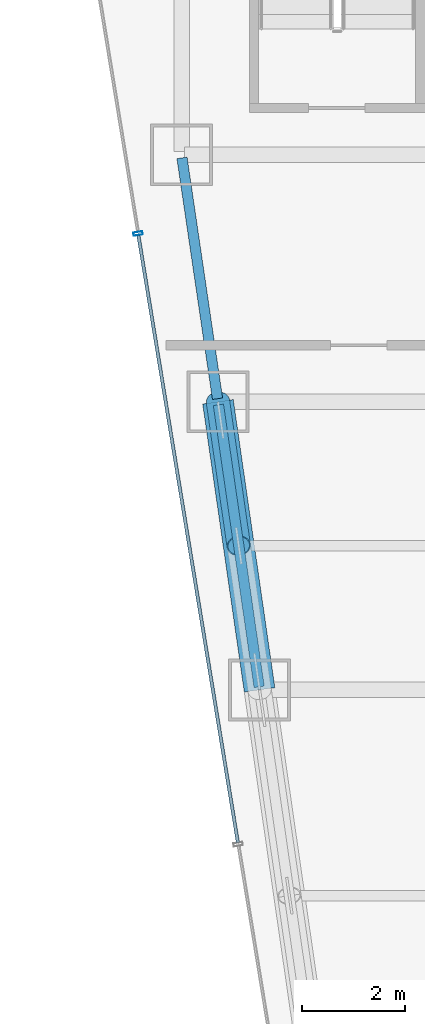
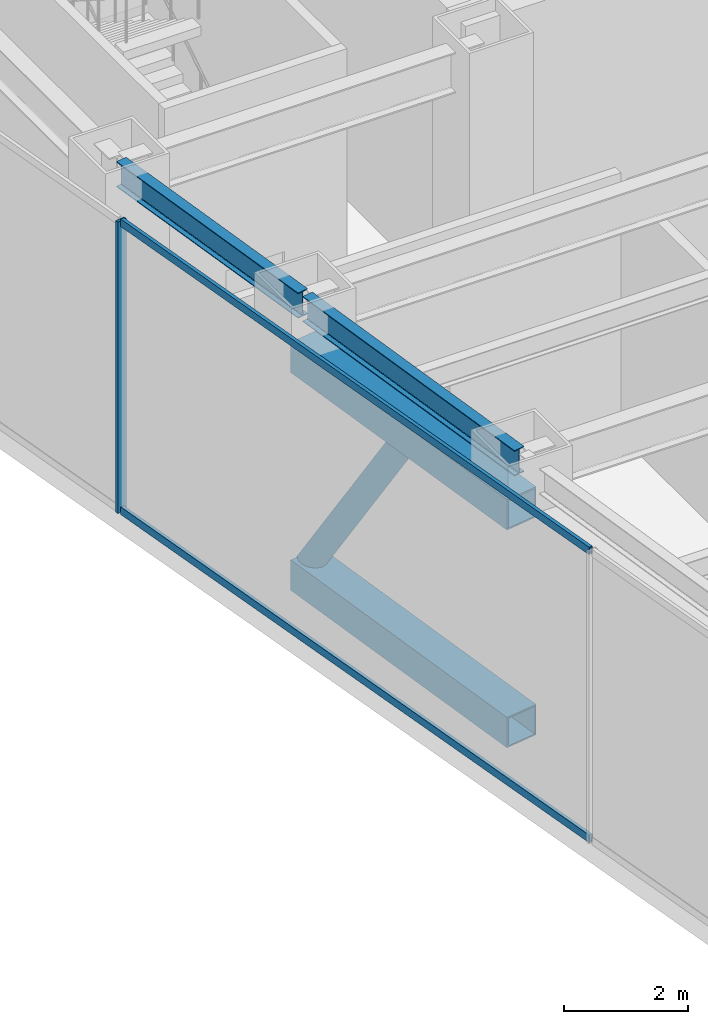
# One storey, part 18 of 35: 6 members, 2 beams, 1 element without a shape of its own.
"""IFC4 building model written with IfcOpenShell, lengths in metres."""

from ifc_helpers import new_model, si_unit, direction, frame, origin, origin_2d, place, context, subcontext, project, spatial, hollow_rectangle, hollow_circle, i_section, extrude, material, material_profile, profile_set, type_object, element, aggregate, save


model = new_model("IFC4")

# Units and contexts
model_context = context("Model", 3, precision=1e-05, world=origin(), true_north=direction((0.0, 1.0)))
body_context = subcontext(model_context, "Body", "Model", "MODEL_VIEW")
ifc_project = project(units=[si_unit("LENGTHUNIT", "METRE"), si_unit("AREAUNIT", "SQUARE_METRE"), si_unit("VOLUMEUNIT", "CUBIC_METRE"), si_unit("PLANEANGLEUNIT", "RADIAN"), si_unit("MASSUNIT", "GRAM", prefix="KILO")], contexts=[model_context])

# Site, building, storey
site_placement = place(None, origin())
site = spatial("IfcSite", under=ifc_project, at=site_placement, CompositionType="ELEMENT")
building_placement = place(site_placement, origin())
building = spatial("IfcBuilding", under=site, at=building_placement, Name="Saevonmaru Cultural Tower", CompositionType="ELEMENT")
storey_placement = place(building_placement, frame((0.0, 0.0, 86.800048828125)))
storey = spatial("IfcBuildingStorey", under=building, at=storey_placement, Name="L18", CompositionType="ELEMENT", Elevation=86.800048828125)

# Beams
ifc_material_1 = material(Name="Steel SM355", Category="steel")
ifc_material_profile_1 = material_profile(ifc_material_1, i_section(OverallWidth=0.199951171875, OverallDepth=0.5, WebThickness=0.010009765625, FlangeThickness=0.01611328125, FilletRadius=0.02001953125, at=origin_2d()), Name="H-500x200x10x16")
ifc_profile_set_1 = profile_set([ifc_material_profile_1], Name="Steel SM355")
beam_type = type_object("IfcBeamType", Name="BM-SP-H500", PredefinedType="SPANDREL", material=ifc_profile_set_1)
beam_1_placement = place(storey_placement, frame((8.308349609375, 32.059326171875, 5.5), z_axis=(-0.142964121327, 0.989727871697, 0.0), x_axis=(-0.989727871697, -0.142964121327, 0.0)))
element("IfcBeam", 1, at=beam_1_placement, inside=storey, type_object=beam_type, Name="L18 West Splayed Spandrel 5", PredefinedType="SPANDREL", context=body_context, shape_type="SweptSolid", body=[
    extrude(i_section(OverallWidth=0.199951171875, OverallDepth=0.5, WebThickness=0.010009765625, FlangeThickness=0.01611328125, FilletRadius=0.02001953125, at=origin_2d()), origin(), (0.0, 0.0, 1.0), 5.5380859375),
])
beam_2_placement = place(storey_placement, frame((7.499267578125, 37.659423828125, 5.5), z_axis=(-0.145912860028, 0.989297446312, 0.0), x_axis=(-0.989297446312, -0.145912860028, 0.0)))
element("IfcBeam", 2, at=beam_2_placement, inside=storey, type_object=beam_type, Name="L18 West Splayed Spandrel 6", PredefinedType="SPANDREL", context=body_context, shape_type="SweptSolid", body=[
    extrude(i_section(OverallWidth=0.199951171875, OverallDepth=0.5, WebThickness=0.010009765625, FlangeThickness=0.01611328125, FilletRadius=0.02001953125, at=origin_2d()), origin(), (0.0, 0.0, 1.0), 4.731689453125),
])

# Members
ifc_material_2 = material(Name="Steel SM420", Category="steel")
ifc_material_profile_2 = material_profile(ifc_material_2, hollow_circle(Radius=0.228515625, WallThickness=0.02001953125, at=origin_2d()), Name="CHS-457.2x20")
ifc_profile_set_2 = profile_set([ifc_material_profile_2], Name="Steel SM420")
member_type_1 = type_object("IfcMemberType", Name="MB-BBR-CHS457", PredefinedType="BRACE", material=ifc_profile_set_2)
member_1_placement = place(storey_placement, frame((7.508056640625, 37.60009765625, 0.300048828125), z_axis=(0.078502210644, -0.544013204761, 0.835396334664), x_axis=(0.989748290967, 0.142822689123, 0.0)))
element("IfcMember", 3, at=member_1_placement, inside=storey, type_object=member_type_1, Name="L18 Belt Truss Diagonal BW5-2", PredefinedType="BRACE", context=body_context, shape_type="SweptSolid", body=[
    extrude(hollow_circle(Radius=0.228515625, WallThickness=0.02001953125, at=origin_2d()), origin(), (0.0, 0.0, 1.0), 5.14697265625),
])
ifc_material_profile_3 = material_profile(ifc_material_2, hollow_rectangle(XDim=0.60009765625, YDim=0.60009765625, WallThickness=0.028076171875, at=origin_2d()), Name="BOX-600x600x28")
ifc_profile_set_3 = profile_set([ifc_material_profile_3], Name="Steel SM420")
member_type_2 = type_object("IfcMemberType", Name="MB-BCH-BOX600", PredefinedType="CHORD", material=ifc_profile_set_3)
for number, where, z_axis, x_axis, name in (
    (4, (8.31689453125, 32.0, 0.300048828125), (-0.142949491659, 0.989729984811, 0.0), (-0.989729984811, -0.142949491659, 0.0), "L18 Belt Truss Bottom Chord BW5"),
    (5, (8.31689453125, 32.0, 4.599853515625), (-0.142949491659, 0.989729984811, 0.0), (-0.989729984811, -0.142949491659, 0.0), "L18 Belt Truss Top Chord BW5"),
):
    element("IfcMember", number, at=place(storey_placement, frame(where, z_axis=z_axis, x_axis=x_axis)), inside=storey, type_object=member_type_2, Name=name, PredefinedType="CHORD", context=body_context, shape_type="SweptSolid", body=[
        extrude(hollow_rectangle(XDim=0.60009765625, YDim=0.60009765625, WallThickness=0.028076171875, at=origin_2d()), origin(), (0.0, 0.0, 1.0), 5.658203125),
    ])

# Curtain wall, members
ifc_material_3 = material(Name="Satin Bronze Anodised Aluminium", Category="aluminium")
curtain_wall_type = type_object("IfcCurtainWallType", Name="CW-TYP-A", PredefinedType="NOTDEFINED", material=ifc_material_3)
curtain_wall_placement = place(storey_placement, origin())
curtain_wall = element("IfcCurtainWall", 6, at=curtain_wall_placement, inside=storey, type_object=curtain_wall_type, Name="L18 Wind-Floor Acoustic Louvre Screen E12", PredefinedType="NOTDEFINED")
ifc_material_profile_4 = material_profile(ifc_material_3, hollow_rectangle(XDim=0.06494140625, YDim=0.179931640625, WallThickness=0.00390625, at=origin_2d()), Name="ALU-MULL-180x65x4")
ifc_profile_set_4 = profile_set([ifc_material_profile_4], Name="Satin Bronze Anodised Aluminium")
member_type_3 = type_object("IfcMemberType", Name="ML-CW-180x65", PredefinedType="MULLION", material=ifc_profile_set_4)
member_2_placement = place(storey_placement, frame((5.954833984375, 40.870361328125, 0.0), z_axis=(0.0, 0.0, 1.0), x_axis=(0.161708868641, -0.986838508472, 0.0)))
member_2 = element("IfcMember", 7, at=member_2_placement, type_object=member_type_3, Name="CW-TW-L18-E12 mullion 2", PredefinedType="MULLION", context=body_context, shape_type="SweptSolid", body=[
    extrude(hollow_rectangle(XDim=0.06494140625, YDim=0.179931640625, WallThickness=0.00390625, at=origin_2d()), origin(), (0.0, 0.0, 1.0), 5.75),
])
ifc_material_profile_5 = material_profile(ifc_material_3, hollow_rectangle(XDim=0.06494140625, YDim=0.14990234375, WallThickness=0.00390625, at=origin_2d()), Name="ALU-TRAN-150x65x4")
ifc_profile_set_5 = profile_set([ifc_material_profile_5], Name="Satin Bronze Anodised Aluminium")
member_type_4 = type_object("IfcMemberType", Name="TR-CW-150x65", PredefinedType="USERDEFINED", material=ifc_profile_set_5)
member_3_placement = place(storey_placement, frame((5.960205078125, 40.83837890625, 0.032470703125), z_axis=(0.161701400727, -0.986839732177, 0.0), x_axis=(0.986839732177, 0.161701400727, 0.0)))
member_3 = element("IfcMember", 8, at=member_3_placement, type_object=member_type_4, Name="CW-TW-L18-E12 transom 2.1", ObjectType="TRANSOM", PredefinedType="USERDEFINED", context=body_context, shape_type="SweptSolid", body=[
    extrude(hollow_rectangle(XDim=0.06494140625, YDim=0.14990234375, WallThickness=0.00390625, at=origin_2d()), origin(), (0.0, 0.0, 1.0), 11.9638671875),
])
member_4_placement = place(storey_placement, frame((5.960205078125, 40.83837890625, 5.717529296875), z_axis=(0.161701400727, -0.986839732177, 0.0), x_axis=(0.986839732177, 0.161701400727, 0.0)))
member_4 = element("IfcMember", 9, at=member_4_placement, type_object=member_type_4, Name="CW-TW-L18-E12 transom 2.2", ObjectType="TRANSOM", PredefinedType="USERDEFINED", context=body_context, shape_type="SweptSolid", body=[
    extrude(hollow_rectangle(XDim=0.06494140625, YDim=0.14990234375, WallThickness=0.00390625, at=origin_2d()), origin(), (0.0, 0.0, 1.0), 11.9638671875),
])
aggregate(curtain_wall, [member_2, member_3, member_4])

save(model, "model.ifc")
